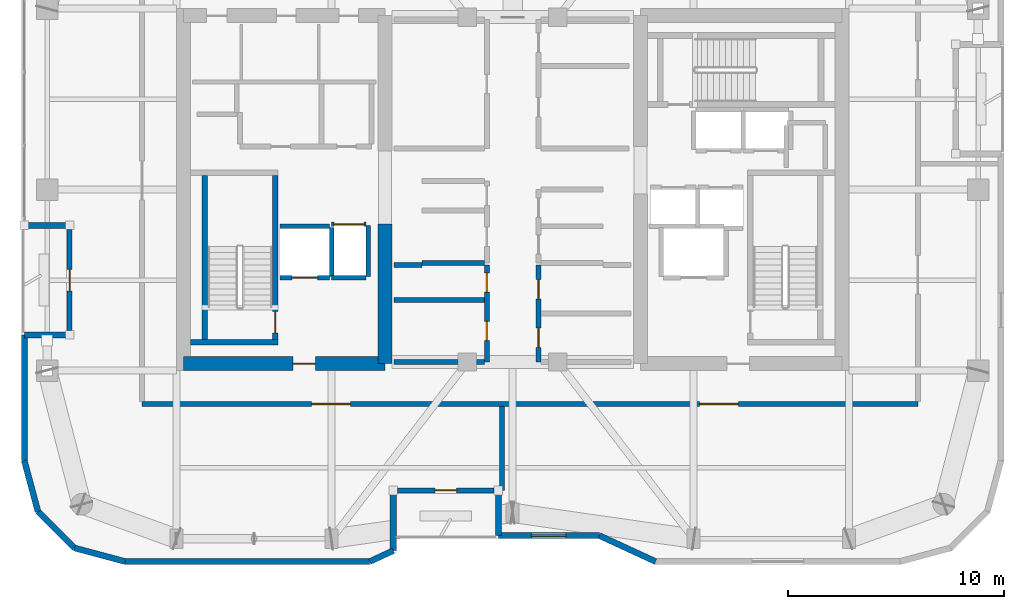
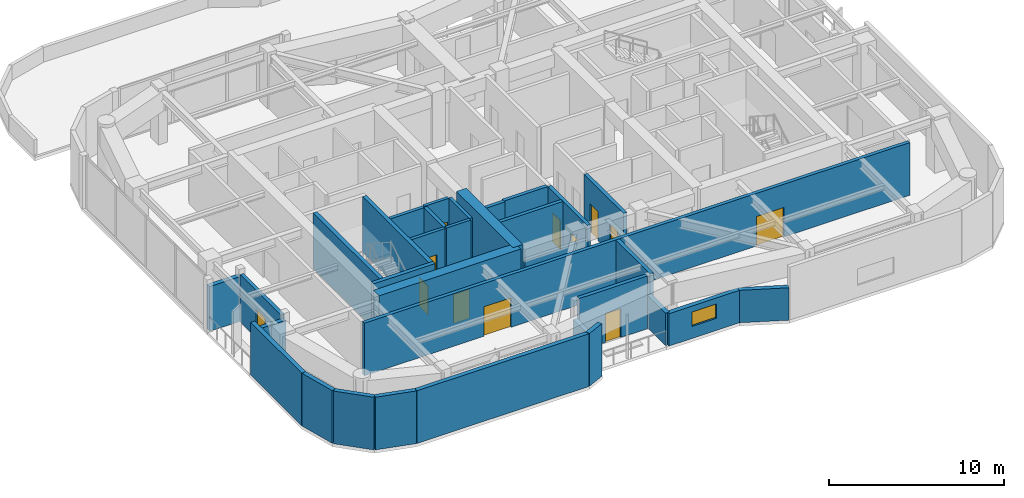
# One storey, part 10 of 16: 33 walls, 12 doors, 1 window, 13 openings.
"""IFC4 building model written with IfcOpenShell, lengths in metres."""

from ifc_helpers import new_model, si_unit, direction, frame, frame_2d, origin, place, context, subcontext, project, spatial, rectangle, extrude, material, layer, layer_set, type_object, element, fill, save


model = new_model("IFC4")

# Units and contexts
model_context = context("Model", 3, precision=1e-05, world=origin(), true_north=direction((0.0, 1.0)))
body_context = subcontext(model_context, "Body", "Model", "MODEL_VIEW")
ifc_project = project(units=[si_unit("LENGTHUNIT", "METRE"), si_unit("AREAUNIT", "SQUARE_METRE"), si_unit("VOLUMEUNIT", "CUBIC_METRE"), si_unit("PLANEANGLEUNIT", "RADIAN"), si_unit("MASSUNIT", "GRAM", prefix="KILO")], contexts=[model_context])

# Site, building, storey
site_placement = place(None, origin())
site = spatial("IfcSite", under=ifc_project, at=site_placement, CompositionType="ELEMENT")
building_placement = place(site_placement, origin())
building = spatial("IfcBuilding", under=site, at=building_placement, Name="Kiyonajd Concourse Tower", CompositionType="ELEMENT")
storey_placement = place(building_placement, frame((0.0, 0.0, 255.0)))
storey = spatial("IfcBuildingStorey", under=building, at=storey_placement, Name="L64", CompositionType="ELEMENT", Elevation=255.0)

# Wall
ifc_material_1 = material(Name="Concrete C60/75", Category="concrete")
ifc_layer_1 = layer(ifc_material_1, 0.64990234375)
ifc_layer_set_1 = layer_set([ifc_layer_1], Name="Concrete C60/75")
wall_type_1 = type_object("IfcWallType", Name="WL-CORE-650", PredefinedType="SHEAR", material=ifc_layer_set_1)
wall_1_placement = place(storey_placement, frame((42.074951171875, 27.925048828125, 0.0), z_axis=(0.0, 0.0, 1.0), x_axis=(0.0, 1.0, 0.0)))
element("IfcWall", 1, at=wall_1_placement, inside=storey, type_object=wall_type_1, Name="L64 West Core Inner South Shear Wall", PredefinedType="SHEAR", context=body_context, shape_type="SweptSolid", body=[
    extrude(rectangle(XDim=6.474853515625, YDim=0.64990234375, at=frame_2d((3.2373046875, 0.0))), origin(), (0.0, 0.0, 1.0), 3.89990234375),
])

# Wall, opening, door
wall_2_placement = place(storey_placement, frame((32.72509765625, 27.925048828125, 0.0), z_axis=(0.0, 0.0, 1.0), x_axis=(1.0, 0.0, 0.0)))
wall_2 = element("IfcWall", 2, at=wall_2_placement, inside=storey, type_object=wall_type_1, Name="L64 West Core South Shear Wall", PredefinedType="SHEAR", context=body_context, shape_type="SweptSolid", body=[
    extrude(rectangle(XDim=9.349853515625, YDim=0.64990234375, at=frame_2d((4.6748046875, 0.0))), origin(), (0.0, 0.0, 1.0), 3.89990234375),
])
opening_1_placement = place(wall_2_placement, frame((5.074951171875, 0.0, 0.0)))
opening_1 = element("IfcOpeningElement", 3, at=opening_1_placement, cuts=wall_2, Name="Opening DF5", PredefinedType="OPENING", context=body_context, shape_type="SweptSolid", body=[
    extrude(rectangle(XDim=1.050048828125, YDim=2.0400390625, at=frame_2d((0.52490234375, 1.02001953125))), frame((0.0, 0.3349609375, 0.0), z_axis=(0.0, -1.0, 0.0), x_axis=(1.0, 0.0, 0.0)), (0.0, 0.0, 1.0), 0.669921875),
])
ifc_material_2 = material(Name="Brushed Stainless Steel Cab Assembly", Category="steel")
door_type_1 = type_object("IfcDoorType", Name="DR-FD45-1050", OperationType="NOTDEFINED", PredefinedType="DOOR", material=ifc_material_2)
door_1_placement = place(opening_1_placement, origin())
door_1 = element("IfcDoor", 4, at=door_1_placement, inside=storey, type_object=door_type_1, Name="L64 Firefighting Lift Lobby W Smoke Door", OperationType="SINGLE_SWING_LEFT", OverallHeight=2.0400390625, OverallWidth=1.050048828125, PredefinedType="DOOR", context=body_context, shape_type="SweptSolid", body=[
    extrude(rectangle(XDim=1.050048828125, YDim=2.0400390625, at=frame_2d((0.52490234375, 1.02001953125))), frame((0.0, 0.02490234375, 0.0), z_axis=(0.0, -1.0, 0.0), x_axis=(1.0, 0.0, 0.0)), (0.0, 0.0, 1.0), 0.050048828125),
])
fill(opening_1, door_1)

# Walls
ifc_material_3 = material(Name="Precast concrete C50/60", Category="concrete")
ifc_layer_2 = layer(ifc_material_3, 0.280029296875)
ifc_layer_set_2 = layer_set([ifc_layer_2], Name="Precast concrete C50/60")
wall_type_2 = type_object("IfcWallType", Name="WL-EXT-280", PredefinedType="SOLIDWALL", material=ifc_layer_set_2)
wall_3_placement = place(storey_placement, frame((25.968505859375, 21.072509765625, 0.0), z_axis=(0.0, 0.0, 1.0), x_axis=(-0.258751159445, 0.965944013639, 0.0)))
element("IfcWall", 5, at=wall_3_placement, inside=storey, type_object=wall_type_2, Name="L64 Exterior Concrete Frame Wall 00", PredefinedType="SOLIDWALL", context=body_context, shape_type="SweptSolid", body=[
    extrude(rectangle(XDim=2.4287109375, YDim=0.280029296875, at=frame_2d((1.21435546875, 0.0))), origin(), (0.0, 0.0, 1.0), 3.679931640625),
])
wall_4_placement = place(storey_placement, frame((25.340087890625, 23.41845703125, 0.0), z_axis=(0.0, 0.0, 1.0), x_axis=(0.0, 1.0, 0.0)))
element("IfcWall", 6, at=wall_4_placement, inside=storey, type_object=wall_type_2, Name="L64 Exterior Concrete Frame Wall 01", PredefinedType="SOLIDWALL", context=body_context, shape_type="SweptSolid", body=[
    extrude(rectangle(XDim=5.841552734375, YDim=0.280029296875, at=frame_2d((2.9208984375, 0.0))), origin(), (0.0, 0.0, 1.0), 3.679931640625),
])
for number, where, z_axis, x_axis, name in (
    (7, (25.340087890625, 29.260009765625, 0.0), (0.0, 0.0, 1.0), (1.0, 0.0, 0.0), "L64 Exterior Concrete Frame Wall 02"),
    (8, (27.43994140625, 34.340087890625, 0.0), (0.0, 0.0, 1.0), (-1.0, 0.0, 0.0), "L64 Exterior Concrete Frame Wall 04"),
):
    element("IfcWall", number, at=place(storey_placement, frame(where, z_axis=z_axis, x_axis=x_axis)), inside=storey, type_object=wall_type_2, Name=name, PredefinedType="SOLIDWALL", context=body_context, shape_type="SweptSolid", body=[
        extrude(rectangle(XDim=2.099853515625, YDim=0.280029296875, at=frame_2d((1.0498046875, 0.0))), origin(), (0.0, 0.0, 1.0), 3.1259765625),
    ])
wall_5_placement = place(storey_placement, frame((54.630615234375, 18.739990234375, 0.0), z_axis=(0.0, 0.0, 1.0), x_axis=(-0.907956889006, 0.419063584324, 0.0)))
element("IfcWall", 9, at=wall_5_placement, inside=storey, type_object=wall_type_2, Name="L64 Exterior Concrete Frame Wall 29", PredefinedType="SOLIDWALL", context=body_context, shape_type="SweptSolid", body=[
    extrude(rectangle(XDim=2.863525390625, YDim=0.280029296875, at=frame_2d((1.431640625, 0.0))), origin(), (0.0, 0.0, 1.0), 2.264892578125),
])

# Wall, opening, window
wall_6_placement = place(storey_placement, frame((52.03076171875, 19.93994140625, 0.0), z_axis=(0.0, 0.0, 1.0), x_axis=(-1.0, 0.0, 0.0)))
wall_6 = element("IfcWall", 10, at=wall_6_placement, inside=storey, type_object=wall_type_2, Name="L64 Exterior Concrete Frame Wall 30", PredefinedType="SOLIDWALL", context=body_context, shape_type="SweptSolid", body=[
    extrude(rectangle(XDim=4.690673828125, YDim=0.280029296875, at=frame_2d((2.34521484375, 0.0))), origin(), (0.0, 0.0, 1.0), 2.264892578125),
])
opening_2_placement = place(wall_6_placement, frame((1.56005859375, 0.0, 0.85009765625)))
opening_2 = element("IfcOpeningElement", 11, at=opening_2_placement, cuts=wall_6, Name="Opening WN6", PredefinedType="OPENING", context=body_context, shape_type="SweptSolid", body=[
    extrude(rectangle(XDim=1.60009765625, YDim=1.0, at=frame_2d((0.800048828125, 0.5))), frame((0.0, 0.14990234375, 0.0), z_axis=(0.0, -1.0, 0.0), x_axis=(1.0, 0.0, 0.0)), (0.0, 0.0, 1.0), 0.300048828125),
])
ifc_material_4 = material(Name="Double Low-E Insulated Glass", Category="glass")
window_type = type_object("IfcWindowType", Name="WN-VIS-1600x1000", PartitioningType="SINGLE_PANEL", PredefinedType="WINDOW", material=ifc_material_4)
window_placement = place(opening_2_placement, origin())
window = element("IfcWindow", 12, at=window_placement, inside=storey, type_object=window_type, Name="L64 Modular Facade Vision Window 30", OverallHeight=1.0, OverallWidth=1.60009765625, PartitioningType="SINGLE_PANEL", PredefinedType="WINDOW", context=body_context, shape_type="SweptSolid", body=[
    extrude(rectangle(XDim=1.60009765625, YDim=1.0, at=frame_2d((0.800048828125, 0.5))), frame((0.0, 0.030029296875, 0.0), z_axis=(0.0, -1.0, 0.0), x_axis=(1.0, 0.0, 0.0)), (0.0, 0.0, 1.0), 0.06005859375),
])
fill(opening_2, window)

# Walls
wall_7_placement = place(storey_placement, frame((47.340087890625, 19.93994140625, 0.0), z_axis=(0.0, 0.0, 1.0), x_axis=(0.0, 1.0, 0.0)))
element("IfcWall", 13, at=wall_7_placement, inside=storey, type_object=wall_type_2, Name="L64 Exterior Concrete Frame Wall 31", PredefinedType="SOLIDWALL", context=body_context, shape_type="SweptSolid", body=[
    extrude(rectangle(XDim=2.10009765625, YDim=0.280029296875, at=frame_2d((1.050048828125, 0.0))), origin(), (0.0, 0.0, 1.0), 2.264892578125),
])
wall_8_placement = place(storey_placement, frame((42.4599609375, 22.0400390625, 0.0), z_axis=(0.0, 0.0, 1.0), x_axis=(0.0, -1.0, 0.0)))
element("IfcWall", 14, at=wall_8_placement, inside=storey, type_object=wall_type_2, Name="L64 Exterior Concrete Frame Wall 33", PredefinedType="SOLIDWALL", context=body_context, shape_type="SweptSolid", body=[
    extrude(rectangle(XDim=2.79638671875, YDim=0.280029296875, at=frame_2d((1.398193359375, 0.0))), origin(), (0.0, 0.0, 1.0), 2.264892578125),
])
wall_9_placement = place(storey_placement, frame((42.4599609375, 19.24365234375, 0.0), z_axis=(0.0, 0.0, 1.0), x_axis=(-0.907893953211, -0.419199916176, 0.0)))
element("IfcWall", 15, at=wall_9_placement, inside=storey, type_object=wall_type_2, Name="L64 Exterior Concrete Frame Wall 34", PredefinedType="SOLIDWALL", context=body_context, shape_type="SweptSolid", body=[
    extrude(rectangle(XDim=1.201416015625, YDim=0.280029296875, at=frame_2d((0.6005859375, 0.0))), origin(), (0.0, 0.0, 1.0), 3.679931640625),
])
wall_10_placement = place(storey_placement, frame((41.369140625, 18.739990234375, 0.0), z_axis=(0.0, 0.0, 1.0), x_axis=(-1.0, 0.0, 0.0)))
element("IfcWall", 16, at=wall_10_placement, inside=storey, type_object=wall_type_2, Name="L64 Exterior Concrete Frame Wall 35", PredefinedType="SOLIDWALL", context=body_context, shape_type="SweptSolid", body=[
    extrude(rectangle(XDim=11.350830078125, YDim=0.280029296875, at=frame_2d((5.67529296875, 0.0))), origin(), (0.0, 0.0, 1.0), 3.679931640625),
])
wall_11_placement = place(storey_placement, frame((30.018310546875, 18.739990234375, 0.0), z_axis=(0.0, 0.0, 1.0), x_axis=(-0.965937282298, 0.25877628691, 0.0)))
element("IfcWall", 17, at=wall_11_placement, inside=storey, type_object=wall_type_2, Name="L64 Exterior Concrete Frame Wall 36", PredefinedType="SOLIDWALL", context=body_context, shape_type="SweptSolid", body=[
    extrude(rectangle(XDim=2.428466796875, YDim=0.280029296875, at=frame_2d((1.21435546875, 0.0))), origin(), (0.0, 0.0, 1.0), 3.679931640625),
])
wall_12_placement = place(storey_placement, frame((27.672607421875, 19.368408203125, 0.0), z_axis=(0.0, 0.0, 1.0), x_axis=(-0.707106781187, 0.707106781187, 0.0)))
element("IfcWall", 18, at=wall_12_placement, inside=storey, type_object=wall_type_2, Name="L64 Exterior Concrete Frame Wall 37", PredefinedType="SOLIDWALL", context=body_context, shape_type="SweptSolid", body=[
    extrude(rectangle(XDim=2.409912109375, YDim=0.280029296875, at=frame_2d((1.205078125, 0.0))), origin(), (0.0, 0.0, 1.0), 3.679931640625),
])
ifc_material_5 = material(Name="Gypsum Board on Cold-Formed Steel Stud", Category="steel")
ifc_layer_3 = layer(ifc_material_5, 0.22998046875)
ifc_layer_set_3 = layer_set([ifc_layer_3], Name="Gypsum Board on Cold-Formed Steel Stud")
wall_type_3 = type_object("IfcWallType", Name="WL-FIRE-230", PredefinedType="PARTITIONING", material=ifc_layer_set_3)
wall_13_placement = place(storey_placement, frame((43.800048828125, 32.60009765625, 0.0), z_axis=(0.0, 0.0, 1.0), x_axis=(1.0, 0.0, 0.0)))
element("IfcWall", 19, at=wall_13_placement, inside=storey, type_object=wall_type_3, Name="L64 Interior Partition Wall", PredefinedType="PARTITIONING", context=body_context, shape_type="SweptSolid", body=[
    extrude(rectangle(XDim=2.883056640625, YDim=0.22998046875, at=frame_2d((1.44140625, 0.0))), origin(), (0.0, 0.0, 1.0), 3.679931640625),
])

# Wall, openings, doors
wall_14_placement = place(storey_placement, frame((46.800048828125, 28.0, 0.0), z_axis=(0.0, 0.0, 1.0), x_axis=(0.0, 1.0, 0.0)))
wall_14 = element("IfcWall", 20, at=wall_14_placement, inside=storey, type_object=wall_type_3, Name="L64 Interior Partition Wall", PredefinedType="PARTITIONING", context=body_context, shape_type="SweptSolid", body=[
    extrude(rectangle(XDim=4.5, YDim=0.22998046875, at=frame_2d((2.25, 0.0))), origin(), (0.0, 0.0, 1.0), 3.679931640625),
])
opening_3_placement = place(wall_14_placement, frame((0.989990234375, 0.0, 0.0)))
opening_3 = element("IfcOpeningElement", 21, at=opening_3_placement, cuts=wall_14, Name="Opening DF4", PredefinedType="OPENING", context=body_context, shape_type="SweptSolid", body=[
    extrude(rectangle(XDim=0.89990234375, YDim=2.02001953125, at=frame_2d((0.449951171875, 1.010009765625))), frame((0.0, 0.125, 0.0), z_axis=(0.0, -1.0, 0.0), x_axis=(1.0, 0.0, 0.0)), (0.0, 0.0, 1.0), 0.25),
])
opening_4_placement = place(wall_14_placement, frame((3.239990234375, 0.0, 0.0)))
opening_4 = element("IfcOpeningElement", 22, at=opening_4_placement, cuts=wall_14, Name="Opening DF4", PredefinedType="OPENING", context=body_context, shape_type="SweptSolid", body=[
    extrude(rectangle(XDim=0.89990234375, YDim=2.02001953125, at=frame_2d((0.449951171875, 1.010009765625))), frame((0.0, 0.125, 0.0), z_axis=(0.0, -1.0, 0.0), x_axis=(1.0, 0.0, 0.0)), (0.0, 0.0, 1.0), 0.25),
])
door_type_2 = type_object("IfcDoorType", Name="DR-FD60-900", OperationType="NOTDEFINED", PredefinedType="DOOR", material=ifc_material_2)
door_2_placement = place(opening_3_placement, origin())
door_2 = element("IfcDoor", 23, at=door_2_placement, inside=storey, type_object=door_type_2, Name="L64 Interior Door", OperationType="SINGLE_SWING_RIGHT", OverallHeight=2.02001953125, OverallWidth=0.89990234375, PredefinedType="DOOR", context=body_context, shape_type="SweptSolid", body=[
    extrude(rectangle(XDim=0.89990234375, YDim=2.02001953125, at=frame_2d((0.449951171875, 1.010009765625))), frame((0.0, 0.02490234375, 0.0), z_axis=(0.0, -1.0, 0.0), x_axis=(1.0, 0.0, 0.0)), (0.0, 0.0, 1.0), 0.050048828125),
])
fill(opening_3, door_2)
door_3_placement = place(opening_4_placement, origin())
door_3 = element("IfcDoor", 24, at=door_3_placement, inside=storey, type_object=door_type_2, Name="L64 Interior Door", OperationType="SINGLE_SWING_LEFT", OverallHeight=2.02001953125, OverallWidth=0.89990234375, PredefinedType="DOOR", context=body_context, shape_type="SweptSolid", body=[
    extrude(rectangle(XDim=0.89990234375, YDim=2.02001953125, at=frame_2d((0.449951171875, 1.010009765625))), frame((0.0, 0.02490234375, 0.0), z_axis=(0.0, -1.0, 0.0), x_axis=(1.0, 0.0, 0.0)), (0.0, 0.0, 1.0), 0.050048828125),
])
fill(opening_4, door_3)

# Walls
wall_15_placement = place(storey_placement, frame((42.5, 28.0, 0.0), z_axis=(0.0, 0.0, 1.0), x_axis=(1.0, 0.0, 0.0)))
element("IfcWall", 25, at=wall_15_placement, inside=storey, type_object=wall_type_3, Name="L64 Interior Partition Wall", PredefinedType="PARTITIONING", context=body_context, shape_type="SweptSolid", body=[
    extrude(rectangle(XDim=4.18310546875, YDim=0.22998046875, at=frame_2d((2.091552734375, 0.0))), origin(), (0.0, 0.0, 1.0), 2.764892578125),
])
wall_16_placement = place(storey_placement, frame((42.5, 32.5, 0.0), z_axis=(0.0, 0.0, 1.0), x_axis=(1.0, 0.0, 0.0)))
element("IfcWall", 26, at=wall_16_placement, inside=storey, type_object=wall_type_3, Name="L64 Interior Partition Wall", PredefinedType="PARTITIONING", context=body_context, shape_type="SweptSolid", body=[
    extrude(rectangle(XDim=1.300048828125, YDim=0.22998046875, at=frame_2d((0.64990234375, 0.0))), origin(), (0.0, 0.0, 1.0), 3.679931640625),
])
wall_17_placement = place(storey_placement, frame((42.5, 30.8798828125, 0.0), z_axis=(0.0, 0.0, 1.0), x_axis=(1.0, 0.0, 0.0)))
element("IfcWall", 27, at=wall_17_placement, inside=storey, type_object=wall_type_3, Name="L64 Interior Partition Wall", PredefinedType="PARTITIONING", context=body_context, shape_type="SweptSolid", body=[
    extrude(rectangle(XDim=4.18310546875, YDim=0.22998046875, at=frame_2d((2.091552734375, 0.0))), origin(), (0.0, 0.0, 1.0), 3.679931640625),
])

# Wall, openings, doors
wall_18_placement = place(storey_placement, frame((49.199951171875, 28.0, 0.0), z_axis=(0.0, 0.0, 1.0), x_axis=(0.0, 1.0, 0.0)))
wall_18 = element("IfcWall", 28, at=wall_18_placement, inside=storey, type_object=wall_type_3, Name="L64 Interior Partition Wall", PredefinedType="PARTITIONING", context=body_context, shape_type="SweptSolid", body=[
    extrude(rectangle(XDim=4.5, YDim=0.22998046875, at=frame_2d((2.25, 0.0))), origin(), (0.0, 0.0, 1.0), 3.679931640625),
])
opening_5_placement = place(wall_18_placement, frame((0.675048828125, 0.0, 0.0)))
opening_5 = element("IfcOpeningElement", 29, at=opening_5_placement, cuts=wall_18, Name="Opening DI2", PredefinedType="OPENING", context=body_context, shape_type="SweptSolid", body=[
    extrude(rectangle(XDim=0.89990234375, YDim=2.02001953125, at=frame_2d((0.449951171875, 1.010009765625))), frame((0.0, 0.125, 0.0), z_axis=(0.0, -1.0, 0.0), x_axis=(1.0, 0.0, 0.0)), (0.0, 0.0, 1.0), 0.25),
])
opening_6_placement = place(wall_18_placement, frame((2.925048828125, 0.0, 0.0)))
opening_6 = element("IfcOpeningElement", 30, at=opening_6_placement, cuts=wall_18, Name="Opening DI2", PredefinedType="OPENING", context=body_context, shape_type="SweptSolid", body=[
    extrude(rectangle(XDim=0.89990234375, YDim=2.02001953125, at=frame_2d((0.449951171875, 1.010009765625))), frame((0.0, 0.125, 0.0), z_axis=(0.0, -1.0, 0.0), x_axis=(1.0, 0.0, 0.0)), (0.0, 0.0, 1.0), 0.25),
])
ifc_material_6 = material(Name="Natural Oak Acoustic Timber Veneer", Category="wood")
door_type_3 = type_object("IfcDoorType", Name="DR-INT-900", OperationType="NOTDEFINED", PredefinedType="DOOR", material=ifc_material_6)
door_4_placement = place(opening_5_placement, origin())
door_4 = element("IfcDoor", 31, at=door_4_placement, inside=storey, type_object=door_type_3, Name="L64 Interior Door", OperationType="SINGLE_SWING_RIGHT", OverallHeight=2.02001953125, OverallWidth=0.89990234375, PredefinedType="DOOR", context=body_context, shape_type="SweptSolid", body=[
    extrude(rectangle(XDim=0.89990234375, YDim=2.02001953125, at=frame_2d((0.449951171875, 1.010009765625))), frame((0.0, 0.02490234375, 0.0), z_axis=(0.0, -1.0, 0.0), x_axis=(1.0, 0.0, 0.0)), (0.0, 0.0, 1.0), 0.050048828125),
])
fill(opening_5, door_4)
door_5_placement = place(opening_6_placement, origin())
door_5 = element("IfcDoor", 32, at=door_5_placement, inside=storey, type_object=door_type_3, Name="L64 Interior Door", OperationType="SINGLE_SWING_LEFT", OverallHeight=2.02001953125, OverallWidth=0.89990234375, PredefinedType="DOOR", context=body_context, shape_type="SweptSolid", body=[
    extrude(rectangle(XDim=0.89990234375, YDim=2.02001953125, at=frame_2d((0.449951171875, 1.010009765625))), frame((0.0, 0.02490234375, 0.0), z_axis=(0.0, -1.0, 0.0), x_axis=(1.0, 0.0, 0.0)), (0.0, 0.0, 1.0), 0.050048828125),
])
fill(opening_6, door_5)

wall_19_placement = place(storey_placement, frame((30.800048828125, 26.050048828125, 0.0), z_axis=(0.0, 0.0, 1.0), x_axis=(1.0, 0.0, 0.0)))
wall_19 = element("IfcWall", 33, at=wall_19_placement, inside=storey, type_object=wall_type_3, Name="L64 Interior Partition Wall", PredefinedType="PARTITIONING", context=body_context, shape_type="SweptSolid", body=[
    extrude(rectangle(XDim=36.0, YDim=0.22998046875, at=frame_2d((18.0, 0.0))), origin(), (0.0, 0.0, 1.0), 3.679931640625),
])
opening_7_placement = place(wall_19_placement, frame((7.875, 0.0, 0.0)))
opening_7 = element("IfcOpeningElement", 34, at=opening_7_placement, cuts=wall_19, Name="Opening DI3", PredefinedType="OPENING", context=body_context, shape_type="SweptSolid", body=[
    extrude(rectangle(XDim=1.800048828125, YDim=2.06005859375, at=frame_2d((0.89990234375, 1.030029296875))), frame((0.0, 0.125, 0.0), z_axis=(0.0, -1.0, 0.0), x_axis=(1.0, 0.0, 0.0)), (0.0, 0.0, 1.0), 0.25),
])
opening_8_placement = place(wall_19_placement, frame((25.875, 0.0, 0.0)))
opening_8 = element("IfcOpeningElement", 35, at=opening_8_placement, cuts=wall_19, Name="Opening DI3", PredefinedType="OPENING", context=body_context, shape_type="SweptSolid", body=[
    extrude(rectangle(XDim=1.800048828125, YDim=2.06005859375, at=frame_2d((0.89990234375, 1.030029296875))), frame((0.0, 0.125, 0.0), z_axis=(0.0, -1.0, 0.0), x_axis=(1.0, 0.0, 0.0)), (0.0, 0.0, 1.0), 0.25),
])
door_type_4 = type_object("IfcDoorType", Name="DR-PAIR-1800", OperationType="DOUBLE_DOOR_SINGLE_SWING", PredefinedType="DOOR", material=ifc_material_2)
door_6_placement = place(opening_7_placement, origin())
door_6 = element("IfcDoor", 36, at=door_6_placement, inside=storey, type_object=door_type_4, Name="L64 Interior Door", OperationType="DOUBLE_DOOR_SINGLE_SWING", OverallHeight=2.06005859375, OverallWidth=1.800048828125, PredefinedType="DOOR", context=body_context, shape_type="SweptSolid", body=[
    extrude(rectangle(XDim=1.800048828125, YDim=2.06005859375, at=frame_2d((0.89990234375, 1.030029296875))), frame((0.0, 0.02490234375, 0.0), z_axis=(0.0, -1.0, 0.0), x_axis=(1.0, 0.0, 0.0)), (0.0, 0.0, 1.0), 0.050048828125),
])
fill(opening_7, door_6)
door_7_placement = place(opening_8_placement, origin())
door_7 = element("IfcDoor", 37, at=door_7_placement, inside=storey, type_object=door_type_4, Name="L64 Interior Door", OperationType="DOUBLE_DOOR_SINGLE_SWING", OverallHeight=2.06005859375, OverallWidth=1.800048828125, PredefinedType="DOOR", context=body_context, shape_type="SweptSolid", body=[
    extrude(rectangle(XDim=1.800048828125, YDim=2.06005859375, at=frame_2d((0.89990234375, 1.030029296875))), frame((0.0, 0.02490234375, 0.0), z_axis=(0.0, -1.0, 0.0), x_axis=(1.0, 0.0, 0.0)), (0.0, 0.0, 1.0), 0.050048828125),
])
fill(opening_8, door_7)

# Wall
wall_20_placement = place(storey_placement, frame((47.5, 22.0400390625, 0.0), z_axis=(0.0, 0.0, 1.0), x_axis=(0.0, 1.0, 0.0)))
element("IfcWall", 38, at=wall_20_placement, inside=storey, type_object=wall_type_3, Name="L64 Interior Partition Wall", PredefinedType="PARTITIONING", context=body_context, shape_type="SweptSolid", body=[
    extrude(rectangle(XDim=3.89306640625, YDim=0.22998046875, at=frame_2d((1.946533203125, 0.0))), origin(), (0.0, 0.0, 1.0), 3.679931640625),
])

# Wall, opening, door
ifc_layer_4 = layer(ifc_material_3, 0.239990234375)
ifc_layer_set_4 = layer_set([ifc_layer_4], Name="Precast concrete C50/60")
wall_type_4 = type_object("IfcWallType", Name="WL-LOG-240", PredefinedType="SOLIDWALL", material=ifc_layer_set_4)
wall_21_placement = place(storey_placement, frame((27.43994140625, 29.455078125, 0.0), z_axis=(0.0, 0.0, 1.0), x_axis=(0.0, 1.0, 0.0)))
wall_21 = element("IfcWall", 39, at=wall_21_placement, inside=storey, type_object=wall_type_4, Name="L64 Recessed Loggia Thermal Wall LOG-W", PredefinedType="SOLIDWALL", context=body_context, shape_type="SweptSolid", body=[
    extrude(rectangle(XDim=4.68994140625, YDim=0.239990234375, at=frame_2d((2.344970703125, 0.0))), origin(), (0.0, 0.0, 1.0), 3.31103515625),
])
opening_9_placement = place(wall_21_placement, frame((1.844970703125, 0.0, 0.0)))
opening_9 = element("IfcOpeningElement", 40, at=opening_9_placement, cuts=wall_21, Name="Opening DL1", PredefinedType="OPENING", context=body_context, shape_type="SweptSolid", body=[
    extrude(rectangle(XDim=1.0, YDim=2.02001953125, at=frame_2d((0.5, 1.010009765625))), frame((0.0, 0.1298828125, 0.0), z_axis=(0.0, -1.0, 0.0), x_axis=(1.0, 0.0, 0.0)), (0.0, 0.0, 1.0), 0.260009765625),
])
ifc_material_7 = material(Name="Thermally Broken Anodised Aluminium", Category="aluminium")
door_type_5 = type_object("IfcDoorType", Name="DR-LOG-1000", OperationType="NOTDEFINED", PredefinedType="DOOR", material=ifc_material_7)
door_8_placement = place(opening_9_placement, origin())
door_8 = element("IfcDoor", 41, at=door_8_placement, inside=storey, type_object=door_type_5, Name="L64 Engawa Loggia Access Door LOG-W", OperationType="SINGLE_SWING_LEFT", OverallHeight=2.02001953125, OverallWidth=1.0, PredefinedType="DOOR", context=body_context, shape_type="SweptSolid", body=[
    extrude(rectangle(XDim=1.0, YDim=2.02001953125, at=frame_2d((0.5, 1.010009765625))), frame((0.0, 0.02490234375, 0.0), z_axis=(0.0, -1.0, 0.0), x_axis=(1.0, 0.0, 0.0)), (0.0, 0.0, 1.0), 0.050048828125),
])
fill(opening_9, door_8)

wall_22_placement = place(storey_placement, frame((47.14501953125, 22.0400390625, 0.0), z_axis=(0.0, 0.0, 1.0), x_axis=(-1.0, 0.0, 0.0)))
wall_22 = element("IfcWall", 42, at=wall_22_placement, inside=storey, type_object=wall_type_4, Name="L64 Recessed Loggia Thermal Wall LOG-S", PredefinedType="SOLIDWALL", context=body_context, shape_type="SweptSolid", body=[
    extrude(rectangle(XDim=4.489990234375, YDim=0.239990234375, at=frame_2d((2.2451171875, 0.0))), origin(), (0.0, 0.0, 1.0), 3.679931640625),
])
opening_10_placement = place(wall_22_placement, frame((1.7451171875, 0.0, 0.0)))
opening_10 = element("IfcOpeningElement", 43, at=opening_10_placement, cuts=wall_22, Name="Opening DL1", PredefinedType="OPENING", context=body_context, shape_type="SweptSolid", body=[
    extrude(rectangle(XDim=1.0, YDim=2.02001953125, at=frame_2d((0.5, 1.010009765625))), frame((0.0, 0.1298828125, 0.0), z_axis=(0.0, -1.0, 0.0), x_axis=(1.0, 0.0, 0.0)), (0.0, 0.0, 1.0), 0.260009765625),
])
door_9_placement = place(opening_10_placement, origin())
door_9 = element("IfcDoor", 44, at=door_9_placement, inside=storey, type_object=door_type_5, Name="L64 Engawa Loggia Access Door LOG-S", OperationType="SINGLE_SWING_RIGHT", OverallHeight=2.02001953125, OverallWidth=1.0, PredefinedType="DOOR", context=body_context, shape_type="SweptSolid", body=[
    extrude(rectangle(XDim=1.0, YDim=2.02001953125, at=frame_2d((0.5, 1.010009765625))), frame((0.0, 0.02490234375, 0.0), z_axis=(0.0, -1.0, 0.0), x_axis=(1.0, 0.0, 0.0)), (0.0, 0.0, 1.0), 0.050048828125),
])
fill(opening_10, door_9)

ifc_layer_5 = layer(ifc_material_5, 0.2099609375)
ifc_layer_set_5 = layer_set([ifc_layer_5], Name="Gypsum Board on Cold-Formed Steel Stud")
wall_type_5 = type_object("IfcWallType", Name="WL-SHAFT-210", PredefinedType="PARTITIONING", material=ifc_layer_set_5)
wall_23_placement = place(storey_placement, frame((37.199951171875, 31.89990234375, 0.0), z_axis=(0.0, 0.0, 1.0), x_axis=(1.0, 0.0, 0.0)))
wall_23 = element("IfcWall", 45, at=wall_23_placement, inside=storey, type_object=wall_type_5, Name="L64 Shaft Enclosure Wall", PredefinedType="PARTITIONING", context=body_context, shape_type="SweptSolid", body=[
    extrude(rectangle(XDim=2.300048828125, YDim=0.2099609375, at=frame_2d((1.14990234375, 0.0))), origin(), (0.0, 0.0, 1.0), 3.679931640625),
])
opening_11_placement = place(wall_23_placement, frame((0.550048828125, 0.0, 0.0)))
opening_11 = element("IfcOpeningElement", 46, at=opening_11_placement, cuts=wall_23, Name="Opening LD2", PredefinedType="OPENING", context=body_context, shape_type="SweptSolid", body=[
    extrude(rectangle(XDim=1.199951171875, YDim=2.0400390625, at=frame_2d((0.60009765625, 1.02001953125))), frame((0.0, 0.114990234375, 0.0), z_axis=(0.0, -1.0, 0.0), x_axis=(1.0, 0.0, 0.0)), (0.0, 0.0, 1.0), 0.22998046875),
])
door_type_6 = type_object("IfcDoorType", Name="DR-LD-1200", OperationType="DOUBLE_DOOR_SLIDING", PredefinedType="DOOR", material=ifc_material_2)
door_10_placement = place(opening_11_placement, origin())
door_10 = element("IfcDoor", 47, at=door_10_placement, inside=storey, type_object=door_type_6, Name="L64 Lift FFL1 Sliding Landing Door", OperationType="DOUBLE_DOOR_SLIDING", OverallHeight=2.0400390625, OverallWidth=1.199951171875, PredefinedType="DOOR", context=body_context, shape_type="SweptSolid", body=[
    extrude(rectangle(XDim=1.199951171875, YDim=2.0400390625, at=frame_2d((0.60009765625, 1.02001953125))), frame((0.0, 0.02490234375, 0.0), z_axis=(0.0, -1.0, 0.0), x_axis=(1.0, 0.0, 0.0)), (0.0, 0.0, 1.0), 0.050048828125),
])
fill(opening_11, door_10)

# Walls
wall_24_placement = place(storey_placement, frame((37.199951171875, 34.300048828125, 0.0), z_axis=(0.0, 0.0, 1.0), x_axis=(1.0, 0.0, 0.0)))
element("IfcWall", 48, at=wall_24_placement, inside=storey, type_object=wall_type_5, Name="L64 Shaft Enclosure Wall", PredefinedType="PARTITIONING", context=body_context, shape_type="SweptSolid", body=[
    extrude(rectangle(XDim=2.300048828125, YDim=0.2099609375, at=frame_2d((1.14990234375, 0.0))), origin(), (0.0, 0.0, 1.0), 3.679931640625),
])
wall_25_placement = place(storey_placement, frame((39.60009765625, 31.9599609375, 0.0), z_axis=(0.0, 0.0, 1.0), x_axis=(0.0, 1.0, 0.0)))
element("IfcWall", 49, at=wall_25_placement, inside=storey, type_object=wall_type_5, Name="L64 Shaft Enclosure Wall", PredefinedType="PARTITIONING", context=body_context, shape_type="SweptSolid", body=[
    extrude(rectangle(XDim=2.280029296875, YDim=0.2099609375, at=frame_2d((1.14013671875, 0.0))), origin(), (0.0, 0.0, 1.0), 3.679931640625),
])

# Wall, opening, door
wall_26_placement = place(storey_placement, frame((39.60009765625, 34.39990234375, 0.0), z_axis=(0.0, 0.0, 1.0), x_axis=(1.0, 0.0, 0.0)))
wall_26 = element("IfcWall", 50, at=wall_26_placement, inside=storey, type_object=wall_type_5, Name="L64 Shaft Enclosure Wall", PredefinedType="PARTITIONING", context=body_context, shape_type="SweptSolid", body=[
    extrude(rectangle(XDim=1.599853515625, YDim=0.2099609375, at=frame_2d((0.7998046875, 0.0))), origin(), (0.0, 0.0, 1.0), 3.679931640625),
])
opening_12_placement = place(wall_26_placement, frame((0.10009765625, 0.0, 0.0)))
opening_12 = element("IfcOpeningElement", 51, at=opening_12_placement, cuts=wall_26, Name="Opening LD3", PredefinedType="OPENING", context=body_context, shape_type="SweptSolid", body=[
    extrude(rectangle(XDim=1.39990234375, YDim=2.06005859375, at=frame_2d((0.699951171875, 1.030029296875))), frame((0.0, 0.114990234375, 0.0), z_axis=(0.0, -1.0, 0.0), x_axis=(1.0, 0.0, 0.0)), (0.0, 0.0, 1.0), 0.22998046875),
])
door_type_7 = type_object("IfcDoorType", Name="DR-LD-1400", OperationType="DOUBLE_DOOR_SLIDING", PredefinedType="DOOR", material=ifc_material_2)
door_11_placement = place(opening_12_placement, origin())
door_11 = element("IfcDoor", 52, at=door_11_placement, inside=storey, type_object=door_type_7, Name="L64 Lift SVL1 Sliding Landing Door", OperationType="DOUBLE_DOOR_SLIDING", OverallHeight=2.06005859375, OverallWidth=1.39990234375, PredefinedType="DOOR", context=body_context, shape_type="SweptSolid", body=[
    extrude(rectangle(XDim=1.39990234375, YDim=2.06005859375, at=frame_2d((0.699951171875, 1.030029296875))), frame((0.0, 0.02490234375, 0.0), z_axis=(0.0, -1.0, 0.0), x_axis=(1.0, 0.0, 0.0)), (0.0, 0.0, 1.0), 0.050048828125),
])
fill(opening_12, door_11)

# Walls
wall_27_placement = place(storey_placement, frame((39.60009765625, 31.89990234375, 0.0), z_axis=(0.0, 0.0, 1.0), x_axis=(1.0, 0.0, 0.0)))
element("IfcWall", 53, at=wall_27_placement, inside=storey, type_object=wall_type_5, Name="L64 Shaft Enclosure Wall", PredefinedType="PARTITIONING", context=body_context, shape_type="SweptSolid", body=[
    extrude(rectangle(XDim=1.599853515625, YDim=0.2099609375, at=frame_2d((0.7998046875, 0.0))), origin(), (0.0, 0.0, 1.0), 3.679931640625),
])
wall_28_placement = place(storey_placement, frame((41.300048828125, 31.9599609375, 0.0), z_axis=(0.0, 0.0, 1.0), x_axis=(0.0, 1.0, 0.0)))
element("IfcWall", 54, at=wall_28_placement, inside=storey, type_object=wall_type_5, Name="L64 Shaft Enclosure Wall", PredefinedType="PARTITIONING", context=body_context, shape_type="SweptSolid", body=[
    extrude(rectangle(XDim=2.380126953125, YDim=0.2099609375, at=frame_2d((1.18994140625, 0.0))), origin(), (0.0, 0.0, 1.0), 3.679931640625),
])
ifc_material_8 = material(Name="Concrete C50/60", Category="concrete")
ifc_layer_6 = layer(ifc_material_8, 0.260009765625)
ifc_layer_set_6 = layer_set([ifc_layer_6], Name="Concrete C50/60")
wall_type_6 = type_object("IfcWallType", Name="WL-STAIR-260", PredefinedType="SHEAR", material=ifc_layer_set_6)
wall_29_placement = place(storey_placement, frame((33.050048828125, 28.919921875, 0.0), z_axis=(0.0, 0.0, 1.0), x_axis=(1.0, 0.0, 0.0)))
element("IfcWall", 55, at=wall_29_placement, inside=storey, type_object=wall_type_6, Name="L64 Stair ST1 Structural South Wall", PredefinedType="SHEAR", context=body_context, shape_type="SweptSolid", body=[
    extrude(rectangle(XDim=4.06005859375, YDim=0.260009765625, at=frame_2d((2.030029296875, 0.0))), origin(), (0.0, 0.0, 1.0), 3.89990234375),
])
wall_30_placement = place(storey_placement, frame((33.719970703125, 29.050048828125, 0.0), z_axis=(0.0, 0.0, 1.0), x_axis=(0.0, 1.0, 0.0)))
element("IfcWall", 56, at=wall_30_placement, inside=storey, type_object=wall_type_6, Name="L64 Stair ST1 Structural West Wall", PredefinedType="SHEAR", context=body_context, shape_type="SweptSolid", body=[
    extrude(rectangle(XDim=7.599853515625, YDim=0.260009765625, at=frame_2d((3.7998046875, 0.0))), origin(), (0.0, 0.0, 1.0), 3.89990234375),
])

# Wall, opening, door
wall_31_placement = place(storey_placement, frame((36.97998046875, 29.050048828125, 0.0), z_axis=(0.0, 0.0, 1.0), x_axis=(0.0, 1.0, 0.0)))
wall_31 = element("IfcWall", 57, at=wall_31_placement, inside=storey, type_object=wall_type_6, Name="L64 Stair ST1 Structural East Wall", PredefinedType="SHEAR", context=body_context, shape_type="SweptSolid", body=[
    extrude(rectangle(XDim=7.599853515625, YDim=0.260009765625, at=frame_2d((3.7998046875, 0.0))), origin(), (0.0, 0.0, 1.0), 3.89990234375),
])
opening_13_placement = place(wall_31_placement, frame((0.300048828125, 0.0, 0.0)))
opening_13 = element("IfcOpeningElement", 58, at=opening_13_placement, cuts=wall_31, Name="Opening DF1", PredefinedType="OPENING", context=body_context, shape_type="SweptSolid", body=[
    extrude(rectangle(XDim=1.0, YDim=2.0400390625, at=frame_2d((0.5, 1.02001953125))), frame((0.0, 0.139892578125, 0.0), z_axis=(0.0, -1.0, 0.0), x_axis=(1.0, 0.0, 0.0)), (0.0, 0.0, 1.0), 0.280029296875),
])
door_type_8 = type_object("IfcDoorType", Name="DR-FD90-1000", OperationType="NOTDEFINED", PredefinedType="DOOR", material=ifc_material_2)
door_12_placement = place(opening_13_placement, origin())
door_12 = element("IfcDoor", 59, at=door_12_placement, inside=storey, type_object=door_type_8, Name="L64 Stair ST1 FSAE Door", OperationType="SINGLE_SWING_LEFT", OverallHeight=2.0400390625, OverallWidth=1.0, PredefinedType="DOOR", context=body_context, shape_type="SweptSolid", body=[
    extrude(rectangle(XDim=1.0, YDim=2.0400390625, at=frame_2d((0.5, 1.02001953125))), frame((0.0, 0.02490234375, 0.0), z_axis=(0.0, -1.0, 0.0), x_axis=(1.0, 0.0, 0.0)), (0.0, 0.0, 1.0), 0.050048828125),
])
fill(opening_13, door_12)

save(model, "model.ifc")
